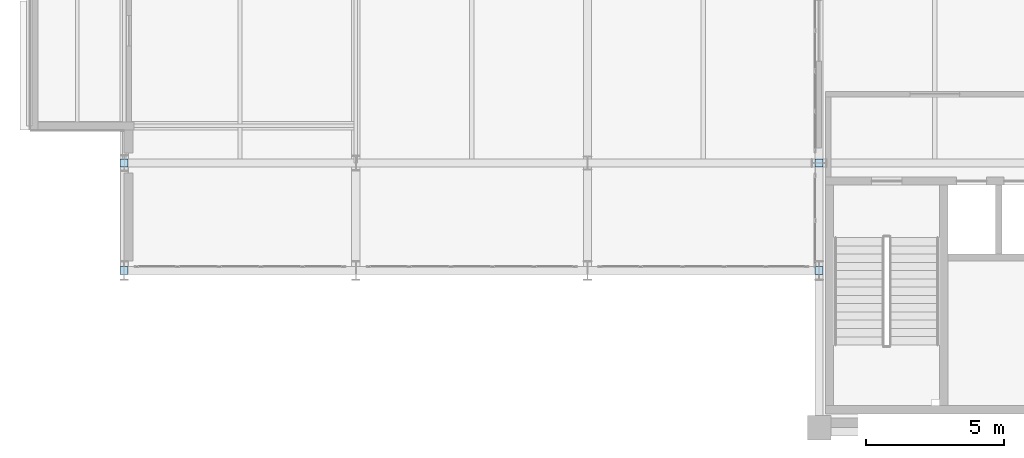
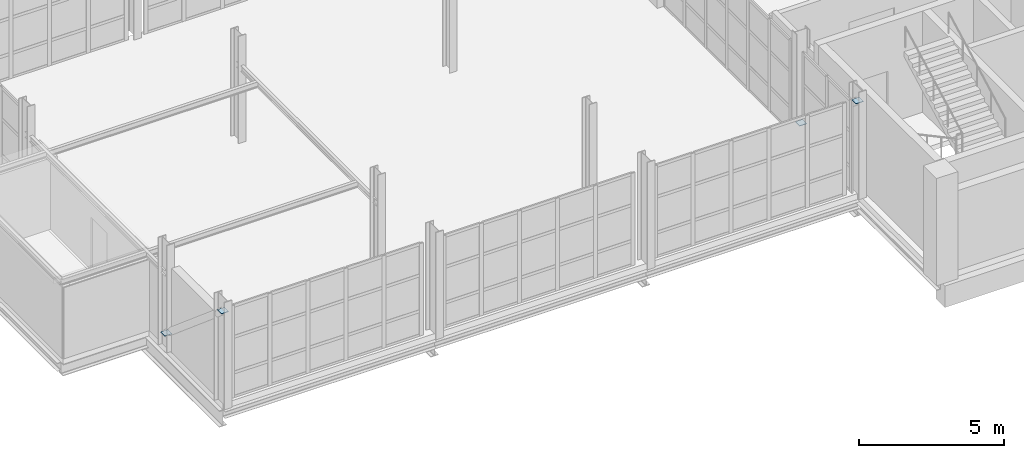
# One storey, part 93 of 109: 4 plates.
"""IFC4 building model written with IfcOpenShell, lengths in metres."""

from ifc_helpers import new_model, si_unit, direction, frame, origin, origin_2d, place, context, subcontext, project, spatial, rectangle, extrude, material, layer, layer_set, type_object, element, save


model = new_model("IFC4")

# Units and contexts
model_context = context("Model", 3, precision=1e-05, world=origin(), true_north=direction((0.0, 1.0)))
body_context = subcontext(model_context, "Body", "Model", "MODEL_VIEW")
ifc_project = project(units=[si_unit("LENGTHUNIT", "METRE"), si_unit("AREAUNIT", "SQUARE_METRE"), si_unit("VOLUMEUNIT", "CUBIC_METRE"), si_unit("PLANEANGLEUNIT", "RADIAN"), si_unit("MASSUNIT", "GRAM", prefix="KILO")], contexts=[model_context])

# Site, building, storey
site_placement = place(None, origin())
site = spatial("IfcSite", under=ifc_project, at=site_placement, CompositionType="ELEMENT")
building_placement = place(site_placement, origin())
building = spatial("IfcBuilding", under=site, at=building_placement, Name="Veltarok Museum of Natural Sciences", CompositionType="ELEMENT")
storey_placement = place(building_placement, frame((0.0, 0.0, 17.39990234375)))
storey = spatial("IfcBuildingStorey", under=building, at=storey_placement, Name="L03", CompositionType="ELEMENT", Elevation=17.39990234375)

# Plates
ifc_material = material(Name="Steel S355J2", Category="steel")
ifc_layer = layer(ifc_material, 0.02001953125)
ifc_layer_set = layer_set([ifc_layer], Name="Steel S355J2")
plate_type = type_object("IfcPlateType", Name="Hollow End Closure Plate D290x20", PredefinedType="USERDEFINED", material=ifc_layer_set)
for number, where, z_axis, x_axis, name in (
    (1, (6.39990234375, 9.596923828125, 0.5927734375), (0.0, 0.0, 1.0), (0.0, 1.0, 0.0), "End Cap Plate CP-273 204"),
    (2, (6.39990234375, 5.703125, 3.887451171875), (0.0, 0.0, 1.0), (0.0, 1.0, 0.0), "End Cap Plate CP-273 205"),
    (3, (31.60009765625, 9.596923828125, 0.5927734375), (0.0, 0.0, 1.0), (0.0, 1.0, 0.0), "End Cap Plate CP-273 206"),
    (4, (31.60009765625, 5.703125, 3.887451171875), (0.0, 0.0, 1.0), (0.0, 1.0, 0.0), "End Cap Plate CP-273 207"),
):
    element("IfcPlate", number, at=place(storey_placement, frame(where, z_axis=z_axis, x_axis=x_axis)), inside=storey, type_object=plate_type, Name=name, ObjectType="END CAP PLATE", PredefinedType="USERDEFINED", context=body_context, shape_type="SweptSolid", body=[
        extrude(rectangle(XDim=0.2900390625, YDim=0.2900390625, at=origin_2d()), origin(), (0.0, 0.0, 1.0), 0.02001953125),
    ])

save(model, "model.ifc")
